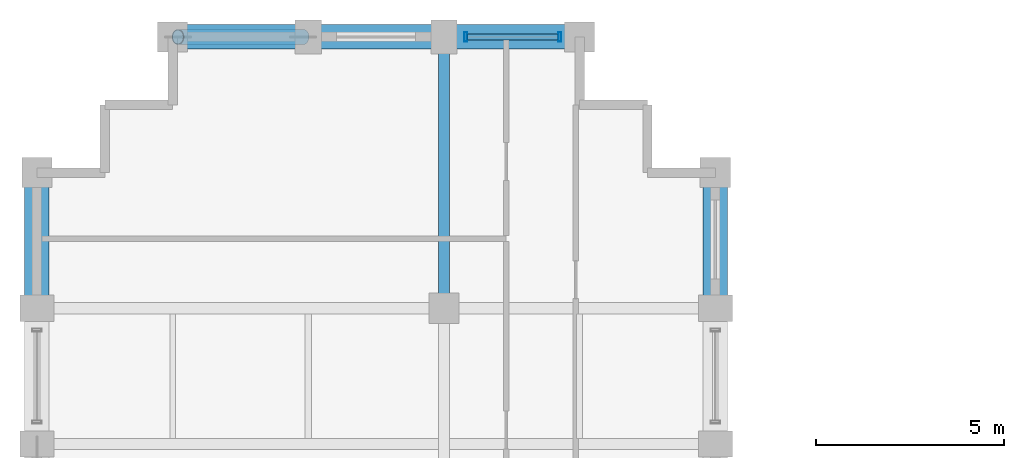
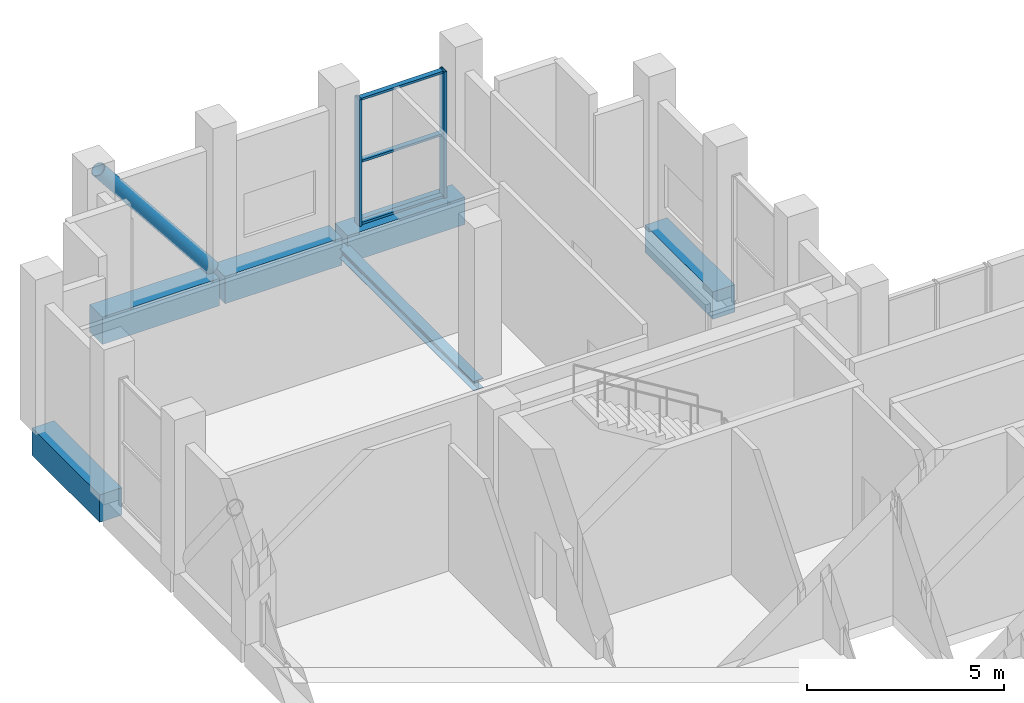
# One storey, part 11 of 16: 6 beams, 6 members, 1 element without a shape of its own.
"""IFC4 building model written with IfcOpenShell, lengths in metres."""

from ifc_helpers import new_model, si_unit, direction, frame, origin, origin_2d, place, context, subcontext, project, spatial, rectangle, hollow_rectangle, hollow_circle, i_section, extrude, material, layer, layer_set, material_profile, profile_set, type_object, element, aggregate, save


model = new_model("IFC4")

# Units and contexts
model_context = context("Model", 3, precision=1e-05, world=origin(), true_north=direction((0.0, 1.0)))
body_context = subcontext(model_context, "Body", "Model", "MODEL_VIEW")
ifc_project = project(units=[si_unit("LENGTHUNIT", "METRE"), si_unit("AREAUNIT", "SQUARE_METRE"), si_unit("VOLUMEUNIT", "CUBIC_METRE"), si_unit("PLANEANGLEUNIT", "RADIAN"), si_unit("MASSUNIT", "GRAM", prefix="KILO")], contexts=[model_context])

# Site, building, storey
site_placement = place(None, origin())
site = spatial("IfcSite", under=ifc_project, at=site_placement, CompositionType="ELEMENT")
building_placement = place(site_placement, origin())
building = spatial("IfcBuilding", under=site, at=building_placement, Name="Solnavia Interchange Tower", CompositionType="ELEMENT")
storey_placement = place(building_placement, frame((0.0, 0.0, 209.0)))
storey = spatial("IfcBuildingStorey", under=building, at=storey_placement, Name="L52", CompositionType="ELEMENT", Elevation=209.0)

# Beams
ifc_material_1 = material(Name="Steel S460", Category="steel")
ifc_material_profile_1 = material_profile(ifc_material_1, i_section(OverallWidth=0.300048828125, OverallDepth=0.300048828125, WebThickness=0.010986328125, FlangeThickness=0.01904296875, FilletRadius=0.027099609375, at=origin_2d()), Name="HEB 300")
ifc_profile_set_1 = profile_set([ifc_material_profile_1], Name="Steel S460")
beam_type_1 = type_object("IfcBeamType", Name="Beam-Girder-HEB300", PredefinedType="BEAM", material=ifc_profile_set_1)
beam_1_placement = place(storey_placement, frame((18.0, 32.47998046875, -0.469970703125), z_axis=(0.0, 1.0, 0.0), x_axis=(-1.0, 0.0, 0.0)))
element("IfcBeam", 1, at=beam_1_placement, inside=storey, type_object=beam_type_1, Name="GRD-L52-NS08 North wing spine girder", PredefinedType="BEAM", context=body_context, shape_type="SweptSolid", body=[
    extrude(i_section(OverallWidth=0.300048828125, OverallDepth=0.300048828125, WebThickness=0.010986328125, FlangeThickness=0.01904296875, FilletRadius=0.027099609375, at=origin_2d()), origin(), (0.0, 0.0, 1.0), 7.0400390625),
])
ifc_material_2 = material(Name="Concrete C50/60", Category="concrete")
ifc_material_profile_2 = material_profile(ifc_material_2, rectangle(XDim=0.64990234375, YDim=0.85009765625, at=origin_2d()), Name="RC 650x850")
ifc_profile_set_2 = profile_set([ifc_material_profile_2], Name="Concrete C50/60")
beam_type_2 = type_object("IfcBeamType", Name="Beam-Spandrel-RC650x850", PredefinedType="SPANDREL", material=ifc_profile_set_2)
for number, where, z_axis, x_axis, name in (
    (2, (25.199951171875, 32.47998046875, -0.425048828125), (0.0, 1.0, 0.0), (-1.0, 0.0, 0.0), "SPB-L52-26 Framed-tube perimeter spandrel beam"),
    (3, (21.52001953125, 39.60009765625, -0.425048828125), (-1.0, 0.0, 0.0), (0.0, -1.0, 0.0), "SPB-L52-27 Framed-tube perimeter spandrel beam"),
    (4, (17.919921875, 39.60009765625, -0.425048828125), (-1.0, 0.0, 0.0), (0.0, -1.0, 0.0), "SPB-L52-28 Framed-tube perimeter spandrel beam"),
):
    element("IfcBeam", number, at=place(storey_placement, frame(where, z_axis=z_axis, x_axis=x_axis)), inside=storey, type_object=beam_type_2, Name=name, PredefinedType="SPANDREL", context=body_context, shape_type="SweptSolid", body=[
        extrude(rectangle(XDim=0.64990234375, YDim=0.85009765625, at=origin_2d()), origin(), (0.0, 0.0, 1.0), 3.43994140625),
    ])
beam_2_placement = place(storey_placement, frame((14.320068359375, 39.60009765625, -0.425048828125), z_axis=(-1.0, 0.0, 0.0), x_axis=(0.0, -1.0, 0.0)))
element("IfcBeam", 5, at=beam_2_placement, inside=storey, type_object=beam_type_2, Name="SPB-L52-29 Framed-tube perimeter spandrel beam", PredefinedType="SPANDREL", context=body_context, shape_type="SweptSolid", body=[
    extrude(rectangle(XDim=0.64990234375, YDim=0.85009765625, at=origin_2d()), origin(), (0.0, 0.0, 1.0), 3.440185546875),
])
beam_3_placement = place(storey_placement, frame((7.199951171875, 35.919921875, -0.425048828125), z_axis=(0.0, -1.0, 0.0), x_axis=(1.0, 0.0, 0.0)))
element("IfcBeam", 6, at=beam_3_placement, inside=storey, type_object=beam_type_2, Name="SPB-L52-30 Framed-tube perimeter spandrel beam", PredefinedType="SPANDREL", context=body_context, shape_type="SweptSolid", body=[
    extrude(rectangle(XDim=0.64990234375, YDim=0.85009765625, at=origin_2d()), origin(), (0.0, 0.0, 1.0), 3.43994140625),
])

# Member
ifc_material_profile_3 = material_profile(ifc_material_1, hollow_circle(Radius=0.203125, WallThickness=0.02001953125, at=origin_2d()), Name="CHS 406.4x20")
ifc_profile_set_3 = profile_set([ifc_material_profile_3], Name="Steel S460")
member_type_1 = type_object("IfcMemberType", Name="Brace-Perim-CHS406", PredefinedType="BRACE", material=ifc_profile_set_3)
member_1_placement = place(storey_placement, frame((14.260009765625, 39.60009765625, 0.179931640625), z_axis=(-0.621029238576, 0.0, 0.783787397726), x_axis=(0.0, -1.0, 0.0)))
element("IfcMember", 7, at=member_1_placement, inside=storey, type_object=member_type_1, Name="BRC-L52-03 Perimeter tube diagonal brace", PredefinedType="BRACE", context=body_context, shape_type="SweptSolid", body=[
    extrude(hollow_circle(Radius=0.203125, WallThickness=0.02001953125, at=origin_2d()), origin(), (0.0, 0.0, 1.0), 5.34619140625),
])

# Curtain wall, members
ifc_material_3 = material(Name="Aluminium Alloy 6063-T6", Category="aluminium")
ifc_layer = layer(ifc_material_3, 0.27001953125)
ifc_layer_set = layer_set([ifc_layer], Name="Aluminium Alloy 6063-T6")
curtain_wall_type = type_object("IfcCurtainWallType", Name="CurtainWall-SkyLobby-CTW4", PredefinedType="NOTDEFINED", material=ifc_layer_set)
curtain_wall_placement = place(storey_placement, origin())
curtain_wall = element("IfcCurtainWall", 8, at=curtain_wall_placement, inside=storey, type_object=curtain_wall_type, Name="CTW-L52-S34 CTW-4 curtain wall", PredefinedType="NOTDEFINED")
ifc_material_profile_4 = material_profile(ifc_material_3, hollow_rectangle(XDim=0.080078125, YDim=0.25, WallThickness=0.006103515625, at=origin_2d()), Name="ALU 250x80x6")
ifc_profile_set_4 = profile_set([ifc_material_profile_4], Name="Aluminium Alloy 6063-T6")
member_type_2 = type_object("IfcMemberType", Name="CW-Mullion-CWM-4", PredefinedType="MULLION", material=ifc_profile_set_4)
member_2_placement = place(storey_placement, frame((21.070068359375, 39.60009765625, 0.0), z_axis=(0.0, 0.0, 1.0), x_axis=(-1.0, 0.0, 0.0)))
member_2 = element("IfcMember", 9, at=member_2_placement, type_object=member_type_2, Name="CTW-4 mullion 1", PredefinedType="MULLION", context=body_context, shape_type="SweptSolid", body=[
    extrude(hollow_rectangle(XDim=0.080078125, YDim=0.25, WallThickness=0.006103515625, at=origin_2d()), origin(), (0.0, 0.0, 1.0), 3.929931640625),
])
member_3_placement = place(storey_placement, frame((18.580078125, 39.60009765625, 0.0), z_axis=(0.0, 0.0, 1.0), x_axis=(-1.0, 0.0, 0.0)))
member_3 = element("IfcMember", 10, at=member_3_placement, type_object=member_type_2, Name="CTW-4 mullion 2", PredefinedType="MULLION", context=body_context, shape_type="SweptSolid", body=[
    extrude(hollow_rectangle(XDim=0.080078125, YDim=0.25, WallThickness=0.006103515625, at=origin_2d()), origin(), (0.0, 0.0, 1.0), 3.929931640625),
])
ifc_material_profile_5 = material_profile(ifc_material_3, hollow_rectangle(XDim=0.070068359375, YDim=0.14990234375, WallThickness=0.00439453125, at=origin_2d()), Name="ALU 150x70x4.5")
ifc_profile_set_5 = profile_set([ifc_material_profile_5], Name="Aluminium Alloy 6063-T6")
member_type_3 = type_object("IfcMemberType", Name="CW-Transom-CWT-4", PredefinedType="USERDEFINED", material=ifc_profile_set_5)
member_4_placement = place(storey_placement, frame((21.030029296875, 39.60009765625, 0.034912109375), z_axis=(-1.0, 0.0, 0.0), x_axis=(0.0, 0.0, 1.0)))
member_4 = element("IfcMember", 11, at=member_4_placement, type_object=member_type_3, Name="CTW-4 transom 1.1", ObjectType="TRANSOM", PredefinedType="USERDEFINED", context=body_context, shape_type="SweptSolid", body=[
    extrude(hollow_rectangle(XDim=0.070068359375, YDim=0.14990234375, WallThickness=0.00439453125, at=origin_2d()), origin(), (0.0, 0.0, 1.0), 2.409912109375),
])
member_5_placement = place(storey_placement, frame((21.030029296875, 39.60009765625, 1.965087890625), z_axis=(-1.0, 0.0, 0.0), x_axis=(0.0, 0.0, 1.0)))
member_5 = element("IfcMember", 12, at=member_5_placement, type_object=member_type_3, Name="CTW-4 transom 1.2", ObjectType="TRANSOM", PredefinedType="USERDEFINED", context=body_context, shape_type="SweptSolid", body=[
    extrude(hollow_rectangle(XDim=0.070068359375, YDim=0.14990234375, WallThickness=0.00439453125, at=origin_2d()), origin(), (0.0, 0.0, 1.0), 2.409912109375),
])
member_6_placement = place(storey_placement, frame((21.030029296875, 39.60009765625, 3.89501953125), z_axis=(-1.0, 0.0, 0.0), x_axis=(0.0, 0.0, 1.0)))
member_6 = element("IfcMember", 13, at=member_6_placement, type_object=member_type_3, Name="CTW-4 transom 1.3", ObjectType="TRANSOM", PredefinedType="USERDEFINED", context=body_context, shape_type="SweptSolid", body=[
    extrude(hollow_rectangle(XDim=0.070068359375, YDim=0.14990234375, WallThickness=0.00439453125, at=origin_2d()), origin(), (0.0, 0.0, 1.0), 2.409912109375),
])
aggregate(curtain_wall, [member_2, member_3, member_4, member_5, member_6])

save(model, "model.ifc")
